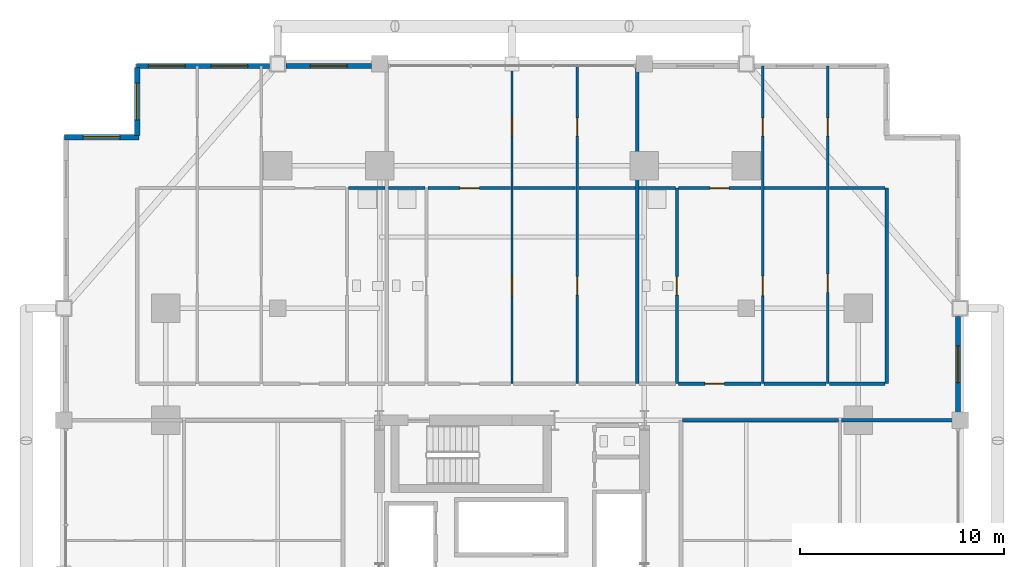
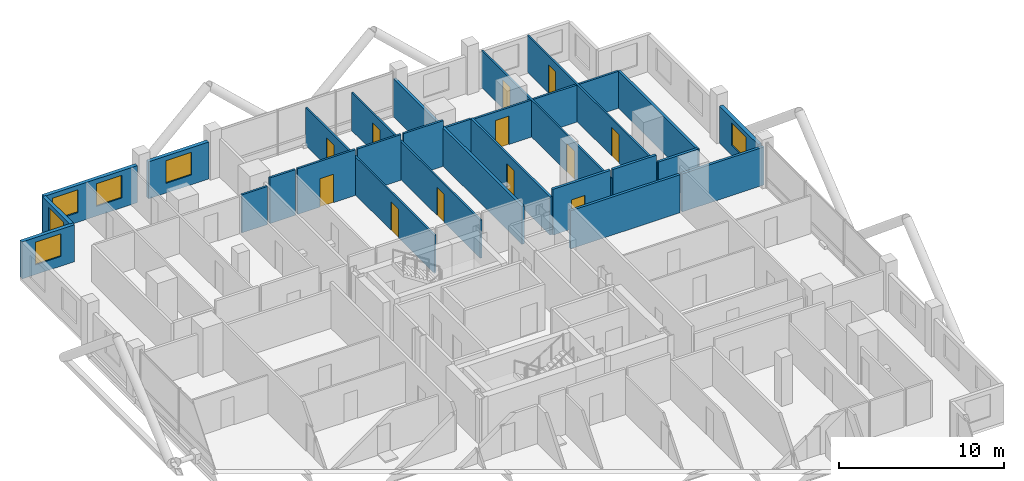
# One storey, part 25 of 28: 26 walls, 12 doors, 6 windows, 18 openings.
"""IFC4 building model written with IfcOpenShell, lengths in metres."""

from ifc_helpers import new_model, si_unit, direction, frame, frame_2d, origin, place, context, subcontext, project, spatial, rectangle, extrude, material, layer, layer_set, type_object, element, fill, save


model = new_model("IFC4")

# Units and contexts
model_context = context("Model", 3, precision=1e-05, world=origin(), true_north=direction((0.0, 1.0)))
body_context = subcontext(model_context, "Body", "Model", "MODEL_VIEW")
ifc_project = project(units=[si_unit("LENGTHUNIT", "METRE"), si_unit("AREAUNIT", "SQUARE_METRE"), si_unit("VOLUMEUNIT", "CUBIC_METRE"), si_unit("PLANEANGLEUNIT", "RADIAN"), si_unit("MASSUNIT", "GRAM", prefix="KILO")], contexts=[model_context])

# Site, building, storey
site_placement = place(None, origin())
site = spatial("IfcSite", under=ifc_project, at=site_placement, CompositionType="ELEMENT")
building_placement = place(site_placement, origin())
building = spatial("IfcBuilding", under=site, at=building_placement, Name="Barlavira Tower and Art Museum", CompositionType="ELEMENT")
storey_placement = place(building_placement, frame((0.0, 0.0, 39.60009765625)))
storey = spatial("IfcBuildingStorey", under=building, at=storey_placement, Name="L08", CompositionType="ELEMENT", Elevation=39.60009765625)

# Wall, openings, doors
ifc_material_1 = material(Name="Gypsum acoustic stud partition", Category="gypsum")
ifc_layer_1 = layer(ifc_material_1, 0.1201171875, Name="Gypsum acoustic stud partition")
ifc_layer_set_1 = layer_set([ifc_layer_1], Name="Gypsum acoustic stud partition")
wall_type_1 = type_object("IfcWallType", Name="Apartment Internal Acoustic Partition 120", PredefinedType="PARTITIONING", material=ifc_layer_set_1)
wall_1_placement = place(storey_placement, frame((0.0, 9.300048828125, 0.0), z_axis=(0.0, 0.0, 1.0), x_axis=(0.0, 1.0, 0.0)))
wall_1 = element("IfcWall", 1, at=wall_1_placement, inside=storey, type_object=wall_type_1, Name="L08 Partition Wall 15", PredefinedType="PARTITIONING", context=body_context, shape_type="SweptSolid", body=[
    extrude(rectangle(XDim=15.599853515625, YDim=0.1201171875, at=frame_2d((7.7998046875, 0.0))), origin(), (0.0, 0.0, 1.0), 2.81591796875),
])
opening_1_placement = place(wall_1_placement, frame((4.324951171875, 0.0, 0.0)))
opening_1 = element("IfcOpeningElement", 2, at=opening_1_placement, cuts=wall_1, Name="Opening D-02", PredefinedType="OPENING", context=body_context, shape_type="SweptSolid", body=[
    extrude(rectangle(XDim=0.949951171875, YDim=2.10009765625, at=frame_2d((0.47509765625, 1.050048828125))), frame((0.0, 0.070068359375, 0.0), z_axis=(0.0, -1.0, 0.0), x_axis=(1.0, 0.0, 0.0)), (0.0, 0.0, 1.0), 0.14013671875),
])
opening_2_placement = place(wall_1_placement, frame((12.14990234375, 0.0, 0.0)))
opening_2 = element("IfcOpeningElement", 3, at=opening_2_placement, cuts=wall_1, Name="Opening D-01", PredefinedType="OPENING", context=body_context, shape_type="SweptSolid", body=[
    extrude(rectangle(XDim=0.89990234375, YDim=2.10009765625, at=frame_2d((0.449951171875, 1.050048828125))), frame((0.0, 0.070068359375, 0.0), z_axis=(0.0, -1.0, 0.0), x_axis=(1.0, 0.0, 0.0)), (0.0, 0.0, 1.0), 0.14013671875),
])
ifc_material_2 = material(Name="Engineered coastal hardwood", Category="wood")
door_type_1 = type_object("IfcDoorType", Name="Internal Bedroom Timber Flush Door 900x2100", OperationType="NOTDEFINED", PredefinedType="DOOR", material=ifc_material_2)
door_1_placement = place(opening_2_placement, origin())
door_1 = element("IfcDoor", 4, at=door_1_placement, inside=storey, type_object=door_type_1, Name="Apartment N2 Bedroom 1 Door", OperationType="SINGLE_SWING_RIGHT", OverallHeight=2.10009765625, OverallWidth=0.89990234375, PredefinedType="DOOR", context=body_context, shape_type="SweptSolid", body=[
    extrude(rectangle(XDim=0.89990234375, YDim=2.10009765625, at=frame_2d((0.449951171875, 1.050048828125))), frame((0.0, 0.02490234375, 0.0), z_axis=(0.0, -1.0, 0.0), x_axis=(1.0, 0.0, 0.0)), (0.0, 0.0, 1.0), 0.050048828125),
])
fill(opening_2, door_1)
door_type_2 = type_object("IfcDoorType", Name="Living and Salon Glazed-Leaf Door 950x2100", OperationType="NOTDEFINED", PredefinedType="DOOR", material=ifc_material_2)
door_2_placement = place(opening_1_placement, origin())
door_2 = element("IfcDoor", 5, at=door_2_placement, inside=storey, type_object=door_type_2, Name="Apartment N2 Kitchen Door", OperationType="SINGLE_SWING_LEFT", OverallHeight=2.10009765625, OverallWidth=0.949951171875, PredefinedType="DOOR", context=body_context, shape_type="SweptSolid", body=[
    extrude(rectangle(XDim=0.949951171875, YDim=2.10009765625, at=frame_2d((0.47509765625, 1.050048828125))), frame((0.0, 0.02490234375, 0.0), z_axis=(0.0, -1.0, 0.0), x_axis=(1.0, 0.0, 0.0)), (0.0, 0.0, 1.0), 0.050048828125),
])
fill(opening_1, door_2)

wall_2_placement = place(storey_placement, frame((3.199951171875, 9.300048828125, 0.0), z_axis=(0.0, 0.0, 1.0), x_axis=(0.0, 1.0, 0.0)))
wall_2 = element("IfcWall", 6, at=wall_2_placement, inside=storey, type_object=wall_type_1, Name="L08 Partition Wall 17", PredefinedType="PARTITIONING", context=body_context, shape_type="SweptSolid", body=[
    extrude(rectangle(XDim=15.599853515625, YDim=0.1201171875, at=frame_2d((7.7998046875, 0.0))), origin(), (0.0, 0.0, 1.0), 2.81591796875),
])
opening_3_placement = place(wall_2_placement, frame((4.35009765625, 0.0, 0.0)))
opening_3 = element("IfcOpeningElement", 7, at=opening_3_placement, cuts=wall_2, Name="Opening D-01", PredefinedType="OPENING", context=body_context, shape_type="SweptSolid", body=[
    extrude(rectangle(XDim=0.89990234375, YDim=2.10009765625, at=frame_2d((0.449951171875, 1.050048828125))), frame((0.0, 0.070068359375, 0.0), z_axis=(0.0, -1.0, 0.0), x_axis=(1.0, 0.0, 0.0)), (0.0, 0.0, 1.0), 0.14013671875),
])
opening_4_placement = place(wall_2_placement, frame((12.14990234375, 0.0, 0.0)))
opening_4 = element("IfcOpeningElement", 8, at=opening_4_placement, cuts=wall_2, Name="Opening D-01", PredefinedType="OPENING", context=body_context, shape_type="SweptSolid", body=[
    extrude(rectangle(XDim=0.89990234375, YDim=2.10009765625, at=frame_2d((0.449951171875, 1.050048828125))), frame((0.0, 0.070068359375, 0.0), z_axis=(0.0, -1.0, 0.0), x_axis=(1.0, 0.0, 0.0)), (0.0, 0.0, 1.0), 0.14013671875),
])
door_3_placement = place(opening_3_placement, origin())
door_3 = element("IfcDoor", 9, at=door_3_placement, inside=storey, type_object=door_type_1, Name="Apartment N2 Walk-In Dressing Room Door", OperationType="SINGLE_SWING_RIGHT", OverallHeight=2.10009765625, OverallWidth=0.89990234375, PredefinedType="DOOR", context=body_context, shape_type="SweptSolid", body=[
    extrude(rectangle(XDim=0.89990234375, YDim=2.10009765625, at=frame_2d((0.449951171875, 1.050048828125))), frame((0.0, 0.02490234375, 0.0), z_axis=(0.0, -1.0, 0.0), x_axis=(1.0, 0.0, 0.0)), (0.0, 0.0, 1.0), 0.050048828125),
])
fill(opening_3, door_3)
door_4_placement = place(opening_4_placement, origin())
door_4 = element("IfcDoor", 10, at=door_4_placement, inside=storey, type_object=door_type_1, Name="Apartment N2 Sunroom Lounge 2 Door", OperationType="SINGLE_SWING_LEFT", OverallHeight=2.10009765625, OverallWidth=0.89990234375, PredefinedType="DOOR", context=body_context, shape_type="SweptSolid", body=[
    extrude(rectangle(XDim=0.89990234375, YDim=2.10009765625, at=frame_2d((0.449951171875, 1.050048828125))), frame((0.0, 0.02490234375, 0.0), z_axis=(0.0, -1.0, 0.0), x_axis=(1.0, 0.0, 0.0)), (0.0, 0.0, 1.0), 0.050048828125),
])
fill(opening_4, door_4)

wall_3_placement = place(storey_placement, frame((12.300048828125, 9.300048828125, 0.0), z_axis=(0.0, 0.0, 1.0), x_axis=(0.0, 1.0, 0.0)))
wall_3 = element("IfcWall", 11, at=wall_3_placement, inside=storey, type_object=wall_type_1, Name="L08 Partition Wall 24", PredefinedType="PARTITIONING", context=body_context, shape_type="SweptSolid", body=[
    extrude(rectangle(XDim=15.599853515625, YDim=0.1201171875, at=frame_2d((7.7998046875, 0.0))), origin(), (0.0, 0.0, 1.0), 2.73583984375),
])
opening_5_placement = place(wall_3_placement, frame((4.324951171875, 0.0, 0.0)))
opening_5 = element("IfcOpeningElement", 12, at=opening_5_placement, cuts=wall_3, Name="Opening D-02", PredefinedType="OPENING", context=body_context, shape_type="SweptSolid", body=[
    extrude(rectangle(XDim=0.949951171875, YDim=2.10009765625, at=frame_2d((0.47509765625, 1.050048828125))), frame((0.0, 0.070068359375, 0.0), z_axis=(0.0, -1.0, 0.0), x_axis=(1.0, 0.0, 0.0)), (0.0, 0.0, 1.0), 0.14013671875),
])
opening_6_placement = place(wall_3_placement, frame((12.14990234375, 0.0, 0.0)))
opening_6 = element("IfcOpeningElement", 13, at=opening_6_placement, cuts=wall_3, Name="Opening D-01", PredefinedType="OPENING", context=body_context, shape_type="SweptSolid", body=[
    extrude(rectangle(XDim=0.89990234375, YDim=2.10009765625, at=frame_2d((0.449951171875, 1.050048828125))), frame((0.0, 0.070068359375, 0.0), z_axis=(0.0, -1.0, 0.0), x_axis=(1.0, 0.0, 0.0)), (0.0, 0.0, 1.0), 0.14013671875),
])
door_5_placement = place(opening_6_placement, origin())
door_5 = element("IfcDoor", 14, at=door_5_placement, inside=storey, type_object=door_type_1, Name="Apartment N3 Bedroom 1 Door", OperationType="SINGLE_SWING_LEFT", OverallHeight=2.10009765625, OverallWidth=0.89990234375, PredefinedType="DOOR", context=body_context, shape_type="SweptSolid", body=[
    extrude(rectangle(XDim=0.89990234375, YDim=2.10009765625, at=frame_2d((0.449951171875, 1.050048828125))), frame((0.0, 0.02490234375, 0.0), z_axis=(0.0, -1.0, 0.0), x_axis=(1.0, 0.0, 0.0)), (0.0, 0.0, 1.0), 0.050048828125),
])
fill(opening_6, door_5)
door_6_placement = place(opening_5_placement, origin())
door_6 = element("IfcDoor", 15, at=door_6_placement, inside=storey, type_object=door_type_2, Name="Apartment N3 Kitchen Door", OperationType="SINGLE_SWING_RIGHT", OverallHeight=2.10009765625, OverallWidth=0.949951171875, PredefinedType="DOOR", context=body_context, shape_type="SweptSolid", body=[
    extrude(rectangle(XDim=0.949951171875, YDim=2.10009765625, at=frame_2d((0.47509765625, 1.050048828125))), frame((0.0, 0.02490234375, 0.0), z_axis=(0.0, -1.0, 0.0), x_axis=(1.0, 0.0, 0.0)), (0.0, 0.0, 1.0), 0.050048828125),
])
fill(opening_5, door_6)

wall_4_placement = place(storey_placement, frame((15.5, 9.300048828125, 0.0), z_axis=(0.0, 0.0, 1.0), x_axis=(0.0, 1.0, 0.0)))
wall_4 = element("IfcWall", 16, at=wall_4_placement, inside=storey, type_object=wall_type_1, Name="L08 Partition Wall 27", PredefinedType="PARTITIONING", context=body_context, shape_type="SweptSolid", body=[
    extrude(rectangle(XDim=15.599853515625, YDim=0.1201171875, at=frame_2d((7.7998046875, 0.0))), origin(), (0.0, 0.0, 1.0), 2.73583984375),
])
opening_7_placement = place(wall_4_placement, frame((4.478271484375, 0.0, 0.0)))
opening_7 = element("IfcOpeningElement", 17, at=opening_7_placement, cuts=wall_4, Name="Opening D-01", PredefinedType="OPENING", context=body_context, shape_type="SweptSolid", body=[
    extrude(rectangle(XDim=0.89990234375, YDim=2.10009765625, at=frame_2d((0.449951171875, 1.050048828125))), frame((0.0, 0.070068359375, 0.0), z_axis=(0.0, -1.0, 0.0), x_axis=(1.0, 0.0, 0.0)), (0.0, 0.0, 1.0), 0.14013671875),
])
opening_8_placement = place(wall_4_placement, frame((12.14990234375, 0.0, 0.0)))
opening_8 = element("IfcOpeningElement", 18, at=opening_8_placement, cuts=wall_4, Name="Opening D-01", PredefinedType="OPENING", context=body_context, shape_type="SweptSolid", body=[
    extrude(rectangle(XDim=0.89990234375, YDim=2.10009765625, at=frame_2d((0.449951171875, 1.050048828125))), frame((0.0, 0.070068359375, 0.0), z_axis=(0.0, -1.0, 0.0), x_axis=(1.0, 0.0, 0.0)), (0.0, 0.0, 1.0), 0.14013671875),
])
door_7_placement = place(opening_7_placement, origin())
door_7 = element("IfcDoor", 19, at=door_7_placement, inside=storey, type_object=door_type_1, Name="Apartment N3 Walk-In Dressing Room Door", OperationType="SINGLE_SWING_LEFT", OverallHeight=2.10009765625, OverallWidth=0.89990234375, PredefinedType="DOOR", context=body_context, shape_type="SweptSolid", body=[
    extrude(rectangle(XDim=0.89990234375, YDim=2.10009765625, at=frame_2d((0.449951171875, 1.050048828125))), frame((0.0, 0.02490234375, 0.0), z_axis=(0.0, -1.0, 0.0), x_axis=(1.0, 0.0, 0.0)), (0.0, 0.0, 1.0), 0.050048828125),
])
fill(opening_7, door_7)
door_8_placement = place(opening_8_placement, origin())
door_8 = element("IfcDoor", 20, at=door_8_placement, inside=storey, type_object=door_type_1, Name="Apartment N3 Sunroom Lounge 2 Door", OperationType="SINGLE_SWING_RIGHT", OverallHeight=2.10009765625, OverallWidth=0.89990234375, PredefinedType="DOOR", context=body_context, shape_type="SweptSolid", body=[
    extrude(rectangle(XDim=0.89990234375, YDim=2.10009765625, at=frame_2d((0.449951171875, 1.050048828125))), frame((0.0, 0.02490234375, 0.0), z_axis=(0.0, -1.0, 0.0), x_axis=(1.0, 0.0, 0.0)), (0.0, 0.0, 1.0), 0.050048828125),
])
fill(opening_8, door_8)

# Walls
ifc_layer_2 = layer(ifc_material_1, 0.179931640625, Name="Gypsum acoustic stud partition")
ifc_layer_set_2 = layer_set([ifc_layer_2], Name="Gypsum acoustic stud partition")
wall_type_2 = type_object("IfcWallType", Name="Inter-Tenancy Party Partition Wall 180", PredefinedType="PARTITIONING", material=ifc_layer_set_2)
wall_5_placement = place(storey_placement, frame((6.14990234375, 9.300048828125, 0.0), z_axis=(0.0, 0.0, 1.0), x_axis=(0.0, 1.0, 0.0)))
element("IfcWall", 21, at=wall_5_placement, inside=storey, type_object=wall_type_2, Name="L08 Partition Wall 20", PredefinedType="PARTITIONING", context=body_context, shape_type="SweptSolid", body=[
    extrude(rectangle(XDim=15.599853515625, YDim=0.179931640625, at=frame_2d((7.7998046875, 0.0))), origin(), (0.0, 0.0, 1.0), 2.81591796875),
])
wall_6_placement = place(storey_placement, frame((18.39990234375, 9.300048828125, 0.0), z_axis=(0.0, 0.0, 1.0), x_axis=(0.0, 1.0, 0.0)))
element("IfcWall", 22, at=wall_6_placement, inside=storey, type_object=wall_type_2, Name="L08 Partition Wall 31", PredefinedType="PARTITIONING", context=body_context, shape_type="SweptSolid", body=[
    extrude(rectangle(XDim=9.599853515625, YDim=0.179931640625, at=frame_2d((4.7998046875, 0.0))), origin(), (0.0, 0.0, 1.0), 2.73583984375),
])
wall_7_placement = place(storey_placement, frame((8.3798828125, 7.5, 0.0), z_axis=(0.0, 0.0, 1.0), x_axis=(1.0, 0.0, 0.0)))
element("IfcWall", 23, at=wall_7_placement, inside=storey, type_object=wall_type_2, Name="L08 Partition Wall 71", PredefinedType="PARTITIONING", context=body_context, shape_type="SweptSolid", body=[
    extrude(rectangle(XDim=7.64013671875, YDim=0.179931640625, at=frame_2d((3.820068359375, 0.0))), origin(), (0.0, 0.0, 1.0), 2.81591796875),
])
wall_8_placement = place(storey_placement, frame((16.179931640625, 7.5, 0.0), z_axis=(0.0, 0.0, 1.0), x_axis=(1.0, 0.0, 0.0)))
element("IfcWall", 24, at=wall_8_placement, inside=storey, type_object=wall_type_2, Name="L08 Partition Wall 72", PredefinedType="PARTITIONING", context=body_context, shape_type="SweptSolid", body=[
    extrude(rectangle(XDim=5.719970703125, YDim=0.179931640625, at=frame_2d((2.85986328125, 0.0))), origin(), (0.0, 0.0, 1.0), 2.81591796875),
])

# Wall, opening, door
wall_9_placement = place(storey_placement, frame((8.179931640625, 9.300048828125, 0.0), z_axis=(0.0, 0.0, 1.0), x_axis=(1.0, 0.0, 0.0)))
wall_9 = element("IfcWall", 25, at=wall_9_placement, inside=storey, type_object=wall_type_2, Name="L08 Partition Wall 82", PredefinedType="PARTITIONING", context=body_context, shape_type="SweptSolid", body=[
    extrude(rectangle(XDim=4.0400390625, YDim=0.179931640625, at=frame_2d((2.02001953125, 0.0))), origin(), (0.0, 0.0, 1.0), 3.3798828125),
])
opening_9_placement = place(wall_9_placement, frame((1.294921875, 0.0, 0.0)))
opening_9 = element("IfcOpeningElement", 26, at=opening_9_placement, cuts=wall_9, Name="Opening FD-60", PredefinedType="OPENING", context=body_context, shape_type="SweptSolid", body=[
    extrude(rectangle(XDim=0.949951171875, YDim=2.14990234375, at=frame_2d((0.47509765625, 1.074951171875))), frame((0.0, 0.10009765625, 0.0), z_axis=(0.0, -1.0, 0.0), x_axis=(1.0, 0.0, 0.0)), (0.0, 0.0, 1.0), 0.199951171875),
])
ifc_material_3 = material(Name="Brushed stainless steel", Category="steel")
door_type_3 = type_object("IfcDoorType", Name="Apartment Entrance and Riser Fire Door 950x2150 FD60S", OperationType="NOTDEFINED", PredefinedType="DOOR", material=ifc_material_3)
door_9_placement = place(opening_9_placement, origin())
door_9 = element("IfcDoor", 27, at=door_9_placement, inside=storey, type_object=door_type_3, Name="Apartment Entrance Hall N3 Door", OperationType="SINGLE_SWING_LEFT", OverallHeight=2.14990234375, OverallWidth=0.949951171875, PredefinedType="DOOR", context=body_context, shape_type="SweptSolid", body=[
    extrude(rectangle(XDim=0.949951171875, YDim=2.14990234375, at=frame_2d((0.47509765625, 1.074951171875))), frame((0.0, 0.02490234375, 0.0), z_axis=(0.0, -1.0, 0.0), x_axis=(1.0, 0.0, 0.0)), (0.0, 0.0, 1.0), 0.050048828125),
])
fill(opening_9, door_9)

# Walls
wall_10_placement = place(storey_placement, frame((12.3798828125, 9.300048828125, 0.0), z_axis=(0.0, 0.0, 1.0), x_axis=(1.0, 0.0, 0.0)))
element("IfcWall", 28, at=wall_10_placement, inside=storey, type_object=wall_type_2, Name="L08 Partition Wall 83", PredefinedType="PARTITIONING", context=body_context, shape_type="SweptSolid", body=[
    extrude(rectangle(XDim=3.0400390625, YDim=0.179931640625, at=frame_2d((1.52001953125, 0.0))), origin(), (0.0, 0.0, 1.0), 3.3798828125),
])
wall_11_placement = place(storey_placement, frame((15.580078125, 9.300048828125, 0.0), z_axis=(0.0, 0.0, 1.0), x_axis=(1.0, 0.0, 0.0)))
element("IfcWall", 29, at=wall_11_placement, inside=storey, type_object=wall_type_2, Name="L08 Partition Wall 84", PredefinedType="PARTITIONING", context=body_context, shape_type="SweptSolid", body=[
    extrude(rectangle(XDim=2.739990234375, YDim=0.179931640625, at=frame_2d((1.3701171875, 0.0))), origin(), (0.0, 0.0, 1.0), 2.81591796875),
])

# Wall, opening, door
ifc_layer_3 = layer(ifc_material_1, 0.139892578125, Name="Gypsum acoustic stud partition")
ifc_layer_set_3 = layer_set([ifc_layer_3], Name="Gypsum acoustic stud partition")
wall_type_3 = type_object("IfcWallType", Name="Moisture-Resistant Bathroom Partition 140", PredefinedType="PARTITIONING", material=ifc_layer_set_3)
wall_12_placement = place(storey_placement, frame((8.10009765625, 9.300048828125, 0.0), z_axis=(0.0, 0.0, 1.0), x_axis=(0.0, 1.0, 0.0)))
wall_12 = element("IfcWall", 30, at=wall_12_placement, inside=storey, type_object=wall_type_3, Name="L08 Partition Wall 21", PredefinedType="PARTITIONING", context=body_context, shape_type="SweptSolid", body=[
    extrude(rectangle(XDim=9.599853515625, YDim=0.139892578125, at=frame_2d((4.7998046875, 0.0))), origin(), (0.0, 0.0, 1.0), 2.81591796875),
])
opening_10_placement = place(wall_12_placement, frame((4.35009765625, 0.0, 0.0)))
opening_10 = element("IfcOpeningElement", 31, at=opening_10_placement, cuts=wall_12, Name="Opening D-WC", PredefinedType="OPENING", context=body_context, shape_type="SweptSolid", body=[
    extrude(rectangle(XDim=0.89990234375, YDim=2.10009765625, at=frame_2d((0.449951171875, 1.050048828125))), frame((0.0, 0.080078125, 0.0), z_axis=(0.0, -1.0, 0.0), x_axis=(1.0, 0.0, 0.0)), (0.0, 0.0, 1.0), 0.159912109375),
])
door_type_4 = type_object("IfcDoorType", Name="Accessible Bathroom Flush Door 900x2100", OperationType="NOTDEFINED", PredefinedType="DOOR", material=ifc_material_2)
door_10_placement = place(opening_10_placement, origin())
door_10 = element("IfcDoor", 32, at=door_10_placement, inside=storey, type_object=door_type_4, Name="Apartment N3 Hall Bathroom Door", OperationType="SINGLE_SWING_RIGHT", OverallHeight=2.10009765625, OverallWidth=0.89990234375, PredefinedType="DOOR", context=body_context, shape_type="SweptSolid", body=[
    extrude(rectangle(XDim=0.89990234375, YDim=2.10009765625, at=frame_2d((0.449951171875, 1.050048828125))), frame((0.0, 0.02490234375, 0.0), z_axis=(0.0, -1.0, 0.0), x_axis=(1.0, 0.0, 0.0)), (0.0, 0.0, 1.0), 0.050048828125),
])
fill(opening_10, door_10)

# Walls
wall_13_placement = place(storey_placement, frame((-8.02001953125, 18.89990234375, 0.0), z_axis=(0.0, 0.0, 1.0), x_axis=(1.0, 0.0, 0.0)))
element("IfcWall", 33, at=wall_13_placement, inside=storey, type_object=wall_type_3, Name="L08 Partition Wall 88", PredefinedType="PARTITIONING", context=body_context, shape_type="SweptSolid", body=[
    extrude(rectangle(XDim=1.7900390625, YDim=0.139892578125, at=frame_2d((0.89501953125, 0.0))), origin(), (0.0, 0.0, 1.0), 2.81591796875),
])
wall_14_placement = place(storey_placement, frame((-6.070068359375, 18.89990234375, 0.0), z_axis=(0.0, 0.0, 1.0), x_axis=(1.0, 0.0, 0.0)))
element("IfcWall", 34, at=wall_14_placement, inside=storey, type_object=wall_type_3, Name="L08 Partition Wall 89", PredefinedType="PARTITIONING", context=body_context, shape_type="SweptSolid", body=[
    extrude(rectangle(XDim=1.7900390625, YDim=0.139892578125, at=frame_2d((0.89501953125, 0.0))), origin(), (0.0, 0.0, 1.0), 3.3798828125),
])

# Wall, opening, door
wall_15_placement = place(storey_placement, frame((-4.1201171875, 18.89990234375, 0.0), z_axis=(0.0, 0.0, 1.0), x_axis=(1.0, 0.0, 0.0)))
wall_15 = element("IfcWall", 35, at=wall_15_placement, inside=storey, type_object=wall_type_3, Name="L08 Partition Wall 90", PredefinedType="PARTITIONING", context=body_context, shape_type="SweptSolid", body=[
    extrude(rectangle(XDim=4.0400390625, YDim=0.139892578125, at=frame_2d((2.02001953125, 0.0))), origin(), (0.0, 0.0, 1.0), 3.3798828125),
])
opening_11_placement = place(wall_15_placement, frame((1.56494140625, 0.0, 0.0)))
opening_11 = element("IfcOpeningElement", 36, at=opening_11_placement, cuts=wall_15, Name="Opening D-02", PredefinedType="OPENING", context=body_context, shape_type="SweptSolid", body=[
    extrude(rectangle(XDim=0.949951171875, YDim=2.10009765625, at=frame_2d((0.47509765625, 1.050048828125))), frame((0.0, 0.080078125, 0.0), z_axis=(0.0, -1.0, 0.0), x_axis=(1.0, 0.0, 0.0)), (0.0, 0.0, 1.0), 0.159912109375),
])
door_11_placement = place(opening_11_placement, origin())
door_11 = element("IfcDoor", 37, at=door_11_placement, inside=storey, type_object=door_type_2, Name="Apartment N2 Living Lounge Door", OperationType="SINGLE_SWING_LEFT", OverallHeight=2.10009765625, OverallWidth=0.949951171875, PredefinedType="DOOR", context=body_context, shape_type="SweptSolid", body=[
    extrude(rectangle(XDim=0.949951171875, YDim=2.10009765625, at=frame_2d((0.47509765625, 1.050048828125))), frame((0.0, 0.02490234375, 0.0), z_axis=(0.0, -1.0, 0.0), x_axis=(1.0, 0.0, 0.0)), (0.0, 0.0, 1.0), 0.050048828125),
])
fill(opening_11, door_11)

# Walls
wall_16_placement = place(storey_placement, frame((0.080078125, 18.89990234375, 0.0), z_axis=(0.0, 0.0, 1.0), x_axis=(1.0, 0.0, 0.0)))
element("IfcWall", 38, at=wall_16_placement, inside=storey, type_object=wall_type_3, Name="L08 Partition Wall 91", PredefinedType="PARTITIONING", context=body_context, shape_type="SweptSolid", body=[
    extrude(rectangle(XDim=3.0400390625, YDim=0.139892578125, at=frame_2d((1.52001953125, 0.0))), origin(), (0.0, 0.0, 1.0), 3.3798828125),
])
wall_17_placement = place(storey_placement, frame((3.280029296875, 18.89990234375, 0.0), z_axis=(0.0, 0.0, 1.0), x_axis=(1.0, 0.0, 0.0)))
element("IfcWall", 39, at=wall_17_placement, inside=storey, type_object=wall_type_3, Name="L08 Partition Wall 92", PredefinedType="PARTITIONING", context=body_context, shape_type="SweptSolid", body=[
    extrude(rectangle(XDim=2.7900390625, YDim=0.139892578125, at=frame_2d((1.39501953125, 0.0))), origin(), (0.0, 0.0, 1.0), 3.3798828125),
])
wall_18_placement = place(storey_placement, frame((6.22998046875, 18.89990234375, 0.0), z_axis=(0.0, 0.0, 1.0), x_axis=(1.0, 0.0, 0.0)))
element("IfcWall", 40, at=wall_18_placement, inside=storey, type_object=wall_type_3, Name="L08 Partition Wall 93", PredefinedType="PARTITIONING", context=body_context, shape_type="SweptSolid", body=[
    extrude(rectangle(XDim=1.7900390625, YDim=0.139892578125, at=frame_2d((0.89501953125, 0.0))), origin(), (0.0, 0.0, 1.0), 2.81591796875),
])

# Wall, opening, door
wall_19_placement = place(storey_placement, frame((8.179931640625, 18.89990234375, 0.0), z_axis=(0.0, 0.0, 1.0), x_axis=(1.0, 0.0, 0.0)))
wall_19 = element("IfcWall", 41, at=wall_19_placement, inside=storey, type_object=wall_type_3, Name="L08 Partition Wall 94", PredefinedType="PARTITIONING", context=body_context, shape_type="SweptSolid", body=[
    extrude(rectangle(XDim=4.0400390625, YDim=0.139892578125, at=frame_2d((2.02001953125, 0.0))), origin(), (0.0, 0.0, 1.0), 2.73583984375),
])
opening_12_placement = place(wall_19_placement, frame((1.534912109375, 0.0, 0.0)))
opening_12 = element("IfcOpeningElement", 42, at=opening_12_placement, cuts=wall_19, Name="Opening D-02", PredefinedType="OPENING", context=body_context, shape_type="SweptSolid", body=[
    extrude(rectangle(XDim=0.949951171875, YDim=2.10009765625, at=frame_2d((0.47509765625, 1.050048828125))), frame((0.0, 0.080078125, 0.0), z_axis=(0.0, -1.0, 0.0), x_axis=(1.0, 0.0, 0.0)), (0.0, 0.0, 1.0), 0.159912109375),
])
door_12_placement = place(opening_12_placement, origin())
door_12 = element("IfcDoor", 43, at=door_12_placement, inside=storey, type_object=door_type_2, Name="Apartment N3 Living Lounge Door", OperationType="SINGLE_SWING_RIGHT", OverallHeight=2.10009765625, OverallWidth=0.949951171875, PredefinedType="DOOR", context=body_context, shape_type="SweptSolid", body=[
    extrude(rectangle(XDim=0.949951171875, YDim=2.10009765625, at=frame_2d((0.47509765625, 1.050048828125))), frame((0.0, 0.02490234375, 0.0), z_axis=(0.0, -1.0, 0.0), x_axis=(1.0, 0.0, 0.0)), (0.0, 0.0, 1.0), 0.050048828125),
])
fill(opening_12, door_12)

# Walls
wall_20_placement = place(storey_placement, frame((12.3798828125, 18.89990234375, 0.0), z_axis=(0.0, 0.0, 1.0), x_axis=(1.0, 0.0, 0.0)))
element("IfcWall", 44, at=wall_20_placement, inside=storey, type_object=wall_type_3, Name="L08 Partition Wall 95", PredefinedType="PARTITIONING", context=body_context, shape_type="SweptSolid", body=[
    extrude(rectangle(XDim=3.0400390625, YDim=0.139892578125, at=frame_2d((1.52001953125, 0.0))), origin(), (0.0, 0.0, 1.0), 2.73583984375),
])
wall_21_placement = place(storey_placement, frame((15.580078125, 18.89990234375, 0.0), z_axis=(0.0, 0.0, 1.0), x_axis=(1.0, 0.0, 0.0)))
element("IfcWall", 45, at=wall_21_placement, inside=storey, type_object=wall_type_3, Name="L08 Partition Wall 96", PredefinedType="PARTITIONING", context=body_context, shape_type="SweptSolid", body=[
    extrude(rectangle(XDim=2.739990234375, YDim=0.139892578125, at=frame_2d((1.3701171875, 0.0))), origin(), (0.0, 0.0, 1.0), 2.73583984375),
])

# Wall, opening, window
ifc_material_4 = material(Name="Precast concrete C40", Category="concrete")
ifc_layer_4 = layer(ifc_material_4, 0.25, Name="Precast concrete C40")
ifc_layer_set_4 = layer_set([ifc_layer_4], Name="Precast concrete C40")
wall_type_4 = type_object("IfcWallType", Name="Notched Corner Spandrel Wall 250 Precast Concrete C40", PredefinedType="SOLIDWALL", material=ifc_layer_set_4)
wall_22_placement = place(storey_placement, frame((-6.89501953125, 24.89990234375, 0.0), z_axis=(0.0, 0.0, 1.0), x_axis=(-1.0, 0.0, 0.0)))
wall_22 = element("IfcWall", 46, at=wall_22_placement, inside=storey, type_object=wall_type_4, Name="L08 Coastal Facade Pier Wall CW1-L08-N-4", PredefinedType="SOLIDWALL", context=body_context, shape_type="SweptSolid", body=[
    extrude(rectangle(XDim=4.2099609375, YDim=0.25, at=frame_2d((2.10498046875, 0.0))), origin(), (0.0, 0.0, 1.0), 2.73583984375),
])
opening_13_placement = place(wall_22_placement, frame((1.205078125, 0.0, 0.719970703125)))
opening_13 = element("IfcOpeningElement", 47, at=opening_13_placement, cuts=wall_22, Name="Opening WN-01", PredefinedType="OPENING", context=body_context, shape_type="SweptSolid", body=[
    extrude(rectangle(XDim=1.800048828125, YDim=1.679931640625, at=frame_2d((0.89990234375, 0.83984375))), frame((0.0, 0.135009765625, 0.0), z_axis=(0.0, -1.0, 0.0), x_axis=(1.0, 0.0, 0.0)), (0.0, 0.0, 1.0), 0.27001953125),
])
ifc_material_5 = material(Name="Low-iron coastal laminated glass", Category="glass")
window_type = type_object("IfcWindowType", Name="Recessed Notch Corner Punch Window 1800x1680", PartitioningType="SINGLE_PANEL", PredefinedType="WINDOW", material=ifc_material_5)
window_1_placement = place(opening_13_placement, origin())
window_1 = element("IfcWindow", 48, at=window_1_placement, inside=storey, type_object=window_type, Name="L08 Punched Facade Window EWP-CW1-L08-N-4-1", OverallHeight=1.679931640625, OverallWidth=1.800048828125, PartitioningType="SINGLE_PANEL", PredefinedType="WINDOW", context=body_context, shape_type="SweptSolid", body=[
    extrude(rectangle(XDim=1.800048828125, YDim=1.679931640625, at=frame_2d((0.89990234375, 0.83984375))), frame((0.0, 0.030029296875, 0.0), z_axis=(0.0, -1.0, 0.0), x_axis=(1.0, 0.0, 0.0)), (0.0, 0.0, 1.0), 0.06005859375),
])
fill(opening_13, window_1)

# Wall, openings, windows
wall_23_placement = place(storey_placement, frame((-11.89501953125, 24.89990234375, 0.0), z_axis=(0.0, 0.0, 1.0), x_axis=(-1.0, 0.0, 0.0)))
wall_23 = element("IfcWall", 49, at=wall_23_placement, inside=storey, type_object=wall_type_4, Name="L08 Coastal Facade Pier Wall CW1-L08-N-5", PredefinedType="SOLIDWALL", context=body_context, shape_type="SweptSolid", body=[
    extrude(rectangle(XDim=6.530029296875, YDim=0.25, at=frame_2d((3.26513671875, 0.0))), origin(), (0.0, 0.0, 1.0), 2.73583984375),
])
opening_14_placement = place(wall_23_placement, frame((1.080078125, 0.0, 0.719970703125)))
opening_14 = element("IfcOpeningElement", 50, at=opening_14_placement, cuts=wall_23, Name="Opening WN-01", PredefinedType="OPENING", context=body_context, shape_type="SweptSolid", body=[
    extrude(rectangle(XDim=1.800048828125, YDim=1.679931640625, at=frame_2d((0.89990234375, 0.83984375))), frame((0.0, 0.135009765625, 0.0), z_axis=(0.0, -1.0, 0.0), x_axis=(1.0, 0.0, 0.0)), (0.0, 0.0, 1.0), 0.27001953125),
])
opening_15_placement = place(wall_23_placement, frame((4.153076171875, 0.0, 0.719970703125)))
opening_15 = element("IfcOpeningElement", 51, at=opening_15_placement, cuts=wall_23, Name="Opening WN-01", PredefinedType="OPENING", context=body_context, shape_type="SweptSolid", body=[
    extrude(rectangle(XDim=1.800048828125, YDim=1.679931640625, at=frame_2d((0.89990234375, 0.83984375))), frame((0.0, 0.135009765625, 0.0), z_axis=(0.0, -1.0, 0.0), x_axis=(1.0, 0.0, 0.0)), (0.0, 0.0, 1.0), 0.27001953125),
])
window_2_placement = place(opening_14_placement, origin())
window_2 = element("IfcWindow", 52, at=window_2_placement, inside=storey, type_object=window_type, Name="L08 Punched Facade Window EWP-CW1-L08-N-5-1", OverallHeight=1.679931640625, OverallWidth=1.800048828125, PartitioningType="SINGLE_PANEL", PredefinedType="WINDOW", context=body_context, shape_type="SweptSolid", body=[
    extrude(rectangle(XDim=1.800048828125, YDim=1.679931640625, at=frame_2d((0.89990234375, 0.83984375))), frame((0.0, 0.030029296875, 0.0), z_axis=(0.0, -1.0, 0.0), x_axis=(1.0, 0.0, 0.0)), (0.0, 0.0, 1.0), 0.06005859375),
])
fill(opening_14, window_2)
window_3_placement = place(opening_15_placement, origin())
window_3 = element("IfcWindow", 53, at=window_3_placement, inside=storey, type_object=window_type, Name="L08 Punched Facade Window EWP-CW1-L08-N-5-2", OverallHeight=1.679931640625, OverallWidth=1.800048828125, PartitioningType="SINGLE_PANEL", PredefinedType="WINDOW", context=body_context, shape_type="SweptSolid", body=[
    extrude(rectangle(XDim=1.800048828125, YDim=1.679931640625, at=frame_2d((0.89990234375, 0.83984375))), frame((0.0, 0.030029296875, 0.0), z_axis=(0.0, -1.0, 0.0), x_axis=(1.0, 0.0, 0.0)), (0.0, 0.0, 1.0), 0.06005859375),
])
fill(opening_15, window_3)

# Wall, opening, window
wall_24_placement = place(storey_placement, frame((21.89990234375, 7.89501953125, 0.0), z_axis=(0.0, 0.0, 1.0), x_axis=(0.0, 1.0, 0.0)))
wall_24 = element("IfcWall", 54, at=wall_24_placement, inside=storey, type_object=wall_type_4, Name="L08 Coastal Facade Pier Wall CW1-L08-E-4", PredefinedType="SOLIDWALL", context=body_context, shape_type="SweptSolid", body=[
    extrude(rectangle(XDim=4.7099609375, YDim=0.25, at=frame_2d((2.35498046875, 0.0))), origin(), (0.0, 0.0, 1.0), 2.73583984375),
])
opening_16_placement = place(wall_24_placement, frame((1.455078125, 0.0, 0.719970703125)))
opening_16 = element("IfcOpeningElement", 55, at=opening_16_placement, cuts=wall_24, Name="Opening WN-01", PredefinedType="OPENING", context=body_context, shape_type="SweptSolid", body=[
    extrude(rectangle(XDim=1.800048828125, YDim=1.679931640625, at=frame_2d((0.89990234375, 0.83984375))), frame((0.0, 0.135009765625, 0.0), z_axis=(0.0, -1.0, 0.0), x_axis=(1.0, 0.0, 0.0)), (0.0, 0.0, 1.0), 0.27001953125),
])
window_4_placement = place(opening_16_placement, origin())
window_4 = element("IfcWindow", 56, at=window_4_placement, inside=storey, type_object=window_type, Name="L08 Punched Facade Window EWP-CW1-L08-E-4-1", OverallHeight=1.679931640625, OverallWidth=1.800048828125, PartitioningType="SINGLE_PANEL", PredefinedType="WINDOW", context=body_context, shape_type="SweptSolid", body=[
    extrude(rectangle(XDim=1.800048828125, YDim=1.679931640625, at=frame_2d((0.89990234375, 0.83984375))), frame((0.0, 0.030029296875, 0.0), z_axis=(0.0, -1.0, 0.0), x_axis=(1.0, 0.0, 0.0)), (0.0, 0.0, 1.0), 0.06005859375),
])
fill(opening_16, window_4)

wall_25_placement = place(storey_placement, frame((-18.39990234375, 24.820068359375, 0.0), z_axis=(0.0, 0.0, 1.0), x_axis=(0.0, -1.0, 0.0)))
wall_25 = element("IfcWall", 57, at=wall_25_placement, inside=storey, type_object=wall_type_4, Name="L08 Notch Corner Wall NW1", PredefinedType="SOLIDWALL", context=body_context, shape_type="SweptSolid", body=[
    extrude(rectangle(XDim=3.340087890625, YDim=0.25, at=frame_2d((1.669921875, 0.0))), origin(), (0.0, 0.0, 1.0), 2.73583984375),
])
opening_17_placement = place(wall_25_placement, frame((0.77001953125, 0.0, 0.719970703125)))
opening_17 = element("IfcOpeningElement", 58, at=opening_17_placement, cuts=wall_25, Name="Opening WN-01", PredefinedType="OPENING", context=body_context, shape_type="SweptSolid", body=[
    extrude(rectangle(XDim=1.800048828125, YDim=1.679931640625, at=frame_2d((0.89990234375, 0.83984375))), frame((0.0, 0.135009765625, 0.0), z_axis=(0.0, -1.0, 0.0), x_axis=(1.0, 0.0, 0.0)), (0.0, 0.0, 1.0), 0.27001953125),
])
window_5_placement = place(opening_17_placement, origin())
window_5 = element("IfcWindow", 59, at=window_5_placement, inside=storey, type_object=window_type, Name="L08 Punched Facade Window EW-NTC-L08-NW1-1", OverallHeight=1.679931640625, OverallWidth=1.800048828125, PartitioningType="SINGLE_PANEL", PredefinedType="WINDOW", context=body_context, shape_type="SweptSolid", body=[
    extrude(rectangle(XDim=1.800048828125, YDim=1.679931640625, at=frame_2d((0.89990234375, 0.83984375))), frame((0.0, 0.030029296875, 0.0), z_axis=(0.0, -1.0, 0.0), x_axis=(1.0, 0.0, 0.0)), (0.0, 0.0, 1.0), 0.06005859375),
])
fill(opening_17, window_5)

wall_26_placement = place(storey_placement, frame((-18.320068359375, 21.39990234375, 0.0), z_axis=(0.0, 0.0, 1.0), x_axis=(-1.0, 0.0, 0.0)))
wall_26 = element("IfcWall", 60, at=wall_26_placement, inside=storey, type_object=wall_type_4, Name="L08 Notch Corner Wall NW2", PredefinedType="SOLIDWALL", context=body_context, shape_type="SweptSolid", body=[
    extrude(rectangle(XDim=3.659912109375, YDim=0.25, at=frame_2d((1.830078125, 0.0))), origin(), (0.0, 0.0, 1.0), 2.73583984375),
])
opening_18_placement = place(wall_26_placement, frame((0.929931640625, 0.0, 0.719970703125)))
opening_18 = element("IfcOpeningElement", 61, at=opening_18_placement, cuts=wall_26, Name="Opening WN-01", PredefinedType="OPENING", context=body_context, shape_type="SweptSolid", body=[
    extrude(rectangle(XDim=1.800048828125, YDim=1.679931640625, at=frame_2d((0.89990234375, 0.83984375))), frame((0.0, 0.135009765625, 0.0), z_axis=(0.0, -1.0, 0.0), x_axis=(1.0, 0.0, 0.0)), (0.0, 0.0, 1.0), 0.27001953125),
])
window_6_placement = place(opening_18_placement, origin())
window_6 = element("IfcWindow", 62, at=window_6_placement, inside=storey, type_object=window_type, Name="L08 Punched Facade Window EW-NTC-L08-NW2-1", OverallHeight=1.679931640625, OverallWidth=1.800048828125, PartitioningType="SINGLE_PANEL", PredefinedType="WINDOW", context=body_context, shape_type="SweptSolid", body=[
    extrude(rectangle(XDim=1.800048828125, YDim=1.679931640625, at=frame_2d((0.89990234375, 0.83984375))), frame((0.0, 0.030029296875, 0.0), z_axis=(0.0, -1.0, 0.0), x_axis=(1.0, 0.0, 0.0)), (0.0, 0.0, 1.0), 0.06005859375),
])
fill(opening_18, window_6)

save(model, "model.ifc")
